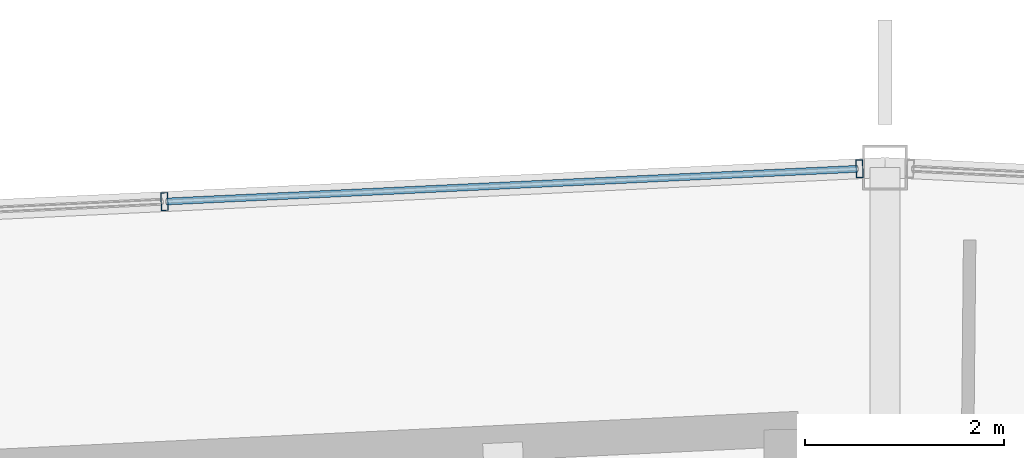
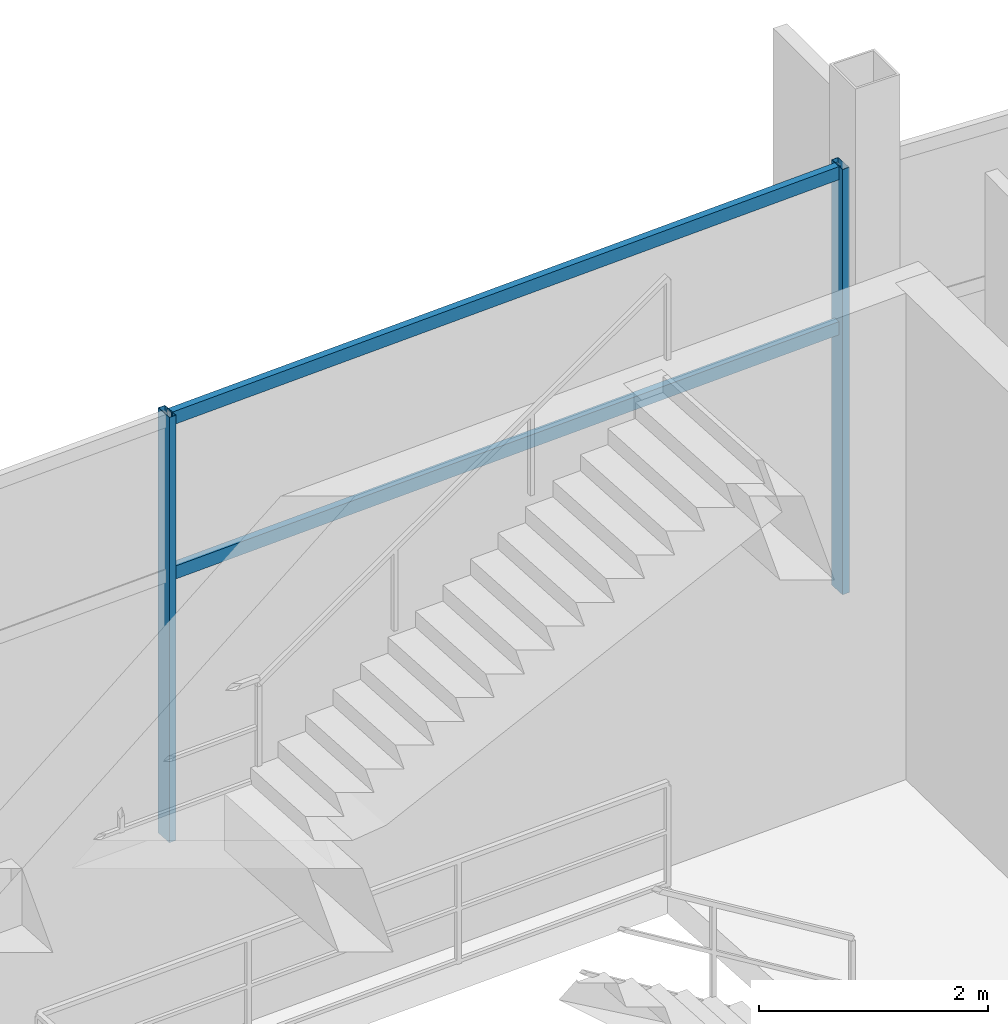
# One storey, part 100 of 186: 4 members, 1 element without a shape of its own.
"""IFC4 building model written with IfcOpenShell, lengths in metres."""

from ifc_helpers import new_model, si_unit, direction, frame, origin, origin_2d, place, context, subcontext, project, spatial, hollow_rectangle, extrude, material, layer, layer_set, material_profile, profile_set, type_object, element, aggregate, save


model = new_model("IFC4")

# Units and contexts
model_context = context("Model", 3, precision=1e-05, world=origin(), true_north=direction((0.0, 1.0)))
body_context = subcontext(model_context, "Body", "Model", "MODEL_VIEW")
ifc_project = project(units=[si_unit("LENGTHUNIT", "METRE"), si_unit("AREAUNIT", "SQUARE_METRE"), si_unit("VOLUMEUNIT", "CUBIC_METRE"), si_unit("PLANEANGLEUNIT", "RADIAN"), si_unit("MASSUNIT", "GRAM", prefix="KILO")], contexts=[model_context])

# Site, building, storey
site_placement = place(None, origin())
site = spatial("IfcSite", under=ifc_project, at=site_placement, CompositionType="ELEMENT")
building_placement = place(site_placement, origin())
building = spatial("IfcBuilding", under=site, at=building_placement, Name="Kazemori Nagisa Stadium", CompositionType="ELEMENT")
storey_placement = place(building_placement, frame((0.0, 0.0, 20.39990234375)))
storey = spatial("IfcBuildingStorey", under=building, at=storey_placement, Name="L04", CompositionType="ELEMENT", Elevation=20.39990234375)

# Curtain wall, members
ifc_material_1 = material(Name="Anodised aluminium 6063-T5", Category="aluminium")
ifc_layer = layer(ifc_material_1, 0.179931640625, Name="Anodised aluminium 6063-T5", Category="aluminium")
ifc_layer_set = layer_set([ifc_layer], Name="Anodised aluminium 6063-T5")
curtain_wall_type = type_object("IfcCurtainWallType", Name="CW_L04R3_105", PredefinedType="USERDEFINED", material=ifc_layer_set)
curtain_wall_placement = place(storey_placement, origin())
curtain_wall = element("IfcCurtainWall", 1, at=curtain_wall_placement, inside=storey, type_object=curtain_wall_type, Name="Unitised curtain wall CW-L04R3-105 L04", ObjectType="UNITISED CURTAIN WALL", PredefinedType="USERDEFINED")
ifc_material_2 = material(Name="Aluminium 6063-T5 anodised", Category="aluminium")
ifc_material_profile_1 = material_profile(ifc_material_2, hollow_rectangle(XDim=0.070068359375, YDim=0.179931640625, WallThickness=0.00390625, at=origin_2d()), Name="ALU-MULL-70x180x4")
ifc_profile_set_1 = profile_set([ifc_material_profile_1], Name="Aluminium 6063-T5 anodised")
member_type_1 = type_object("IfcMemberType", Name="Mullion_M01", PredefinedType="MULLION", material=ifc_profile_set_1)
member_1_placement = place(storey_placement, frame((122.745361328125, 187.988037109375, 0.0), z_axis=(0.0, 0.0, 1.0), x_axis=(-0.998884022476, -0.047230388971, 0.0)))
member_1 = element("IfcMember", 2, at=member_1_placement, type_object=member_type_1, Name="Curtain wall mullion CW-L04R3-105-M1", PredefinedType="MULLION", context=body_context, shape_type="SweptSolid", body=[
    extrude(hollow_rectangle(XDim=0.070068359375, YDim=0.179931640625, WallThickness=0.00390625, at=origin_2d()), origin(), (0.0, 0.0, 1.0), 4.530029296875),
])
member_2_placement = place(storey_placement, frame((115.7724609375, 187.658203125, 0.0), z_axis=(0.0, 0.0, 1.0), x_axis=(-0.998884022476, -0.047230388971, 0.0)))
member_2 = element("IfcMember", 3, at=member_2_placement, type_object=member_type_1, Name="Curtain wall mullion CW-L04R3-105-M2", PredefinedType="MULLION", context=body_context, shape_type="SweptSolid", body=[
    extrude(hollow_rectangle(XDim=0.070068359375, YDim=0.179931640625, WallThickness=0.00390625, at=origin_2d()), origin(), (0.0, 0.0, 1.0), 4.530029296875),
])
ifc_material_profile_2 = material_profile(ifc_material_2, hollow_rectangle(XDim=0.070068359375, YDim=0.139892578125, WallThickness=0.00390625, at=origin_2d()), Name="ALU-TRAN-70x140x4")
ifc_profile_set_2 = profile_set([ifc_material_profile_2], Name="Aluminium 6063-T5 anodised")
member_type_2 = type_object("IfcMemberType", Name="Transom_T01", PredefinedType="USERDEFINED", material=ifc_profile_set_2)
member_3_placement = place(storey_placement, frame((122.725341796875, 187.987060546875, 2.80859375), z_axis=(-0.998883524201, -0.047240925908, 0.0), x_axis=(0.047240925908, -0.998883524201, 0.0)))
member_3 = element("IfcMember", 4, at=member_3_placement, type_object=member_type_2, Name="Curtain wall transom CW-L04R3-105-T1-mid", ObjectType="TRANSOM", PredefinedType="USERDEFINED", context=body_context, shape_type="SweptSolid", body=[
    extrude(hollow_rectangle(XDim=0.070068359375, YDim=0.139892578125, WallThickness=0.00390625, at=origin_2d()), origin(), (0.0, 0.0, 1.0), 6.940673828125),
])
member_4_placement = place(storey_placement, frame((122.725341796875, 187.987060546875, 4.460205078125), z_axis=(-0.998883524201, -0.047240925908, 0.0), x_axis=(0.047240925908, -0.998883524201, 0.0)))
member_4 = element("IfcMember", 5, at=member_4_placement, type_object=member_type_2, Name="Curtain wall transom CW-L04R3-105-T1-head", ObjectType="TRANSOM", PredefinedType="USERDEFINED", context=body_context, shape_type="SweptSolid", body=[
    extrude(hollow_rectangle(XDim=0.070068359375, YDim=0.139892578125, WallThickness=0.00390625, at=origin_2d()), origin(), (0.0, 0.0, 1.0), 6.940673828125),
])
aggregate(curtain_wall, [member_1, member_2, member_3, member_4])

save(model, "model.ifc")
